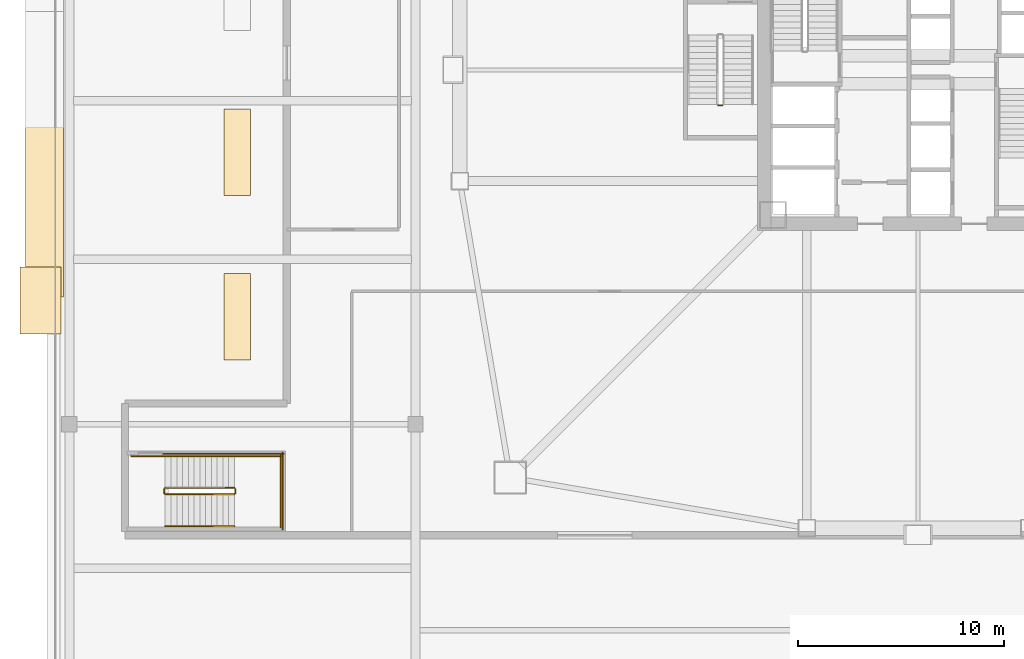
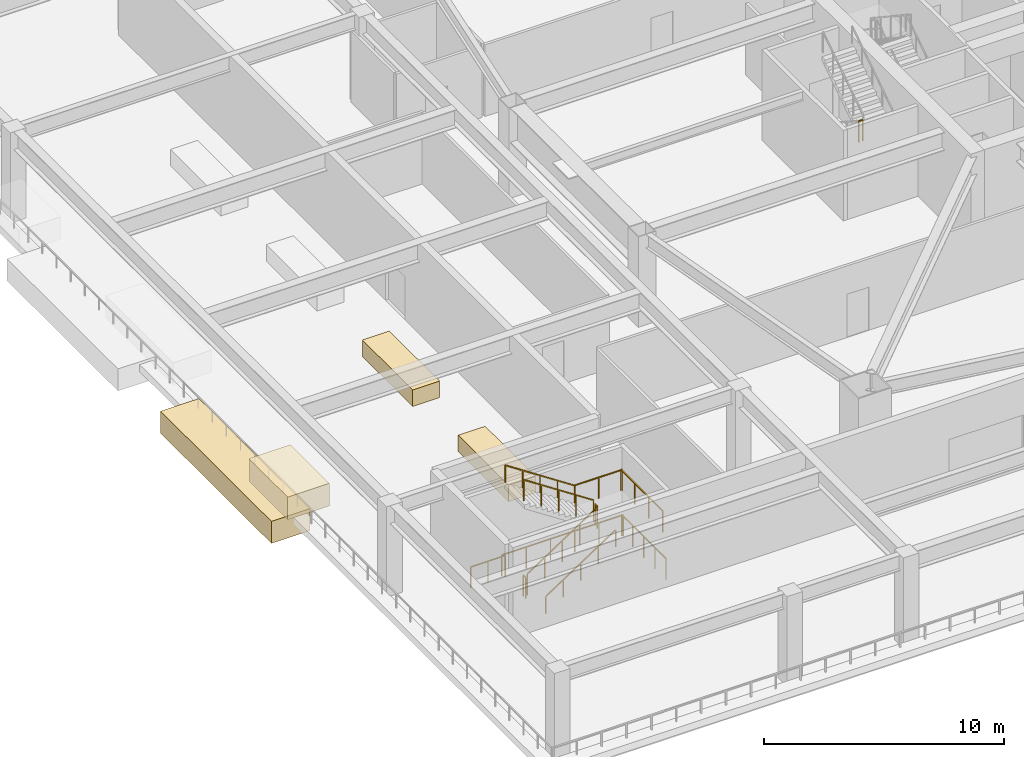
# One storey, part 13 of 21: 12 railings, 4 coverings.
"""IFC4 building model written with IfcOpenShell, lengths in metres."""

import ifcopenshell
import ifcopenshell.guid

model = None  # the IFC model being written
_history = None  # IfcOwnerHistory: only IFC2X3 demands one
_inside = {}  # id of a spatial element -> (the spatial element, [elements in it])
_under = {}  # id of a project, library or spatial element -> (it, [spatial elements below it])
_declared = {}  # id of a project -> (the project, [libraries it declares])
_typed = {}  # id of a type object -> (the type object, [elements of that type])
_made_of = {}  # id of a material, layer set ... -> (it, [elements and type objects made of it])


def new_model(schema):
    """Start an empty IFC model of exactly this schema.

    Asked for "IFC4X3", IfcOpenShell would pick the latest addendum, in which some entities
    have other attributes; the version numbers below select the first issue.
    IFC2X3 requires an IfcOwnerHistory on every rooted entity: one is made here for all.
    """
    global model, _history
    if schema == "IFC4X3":
        model = ifcopenshell.file(schema_version=(4, 3, 0, 0))
    else:
        model = ifcopenshell.file(schema=schema)
    _inside.clear()
    _under.clear()
    _declared.clear()
    _typed.clear()
    _made_of.clear()
    _history = None
    if model.schema == "IFC2X3":
        org = make("IfcOrganization", Name="unknown")
        user = make(
            "IfcPersonAndOrganization",
            ThePerson=make("IfcPerson", FamilyName="unknown"),
            TheOrganization=org,
        )
        app = make(
            "IfcApplication",
            ApplicationDeveloper=org,
            Version="unknown",
            ApplicationFullName="unknown",
            ApplicationIdentifier="unknown",
        )
        _history = make(
            "IfcOwnerHistory",
            OwningUser=user,
            OwningApplication=app,
            ChangeAction="ADDED",
            CreationDate=0,
        )
    return model


def make(cls, **values):
    """One entity of the class cls with the attributes given. An attribute that is None is left unset."""
    return model.create_entity(
        cls, **{name: value for name, value in values.items() if value is not None}
    )


def rooted(cls, **values):
    """An entity with a GlobalId (a new one), such as an element, a storey or a relation."""
    return make(cls, GlobalId=ifcopenshell.guid.new(), OwnerHistory=_history, **values)


def si_unit(unit_type, name, prefix=None):
    """IfcSIUnit, for example si_unit("LENGTHUNIT", "METRE", prefix="MILLI")."""
    return make("IfcSIUnit", UnitType=unit_type, Prefix=prefix, Name=name)


def assignment(units):
    """IfcUnitAssignment: the units of a project."""
    return None if units is None else make("IfcUnitAssignment", Units=units)


def point(xyz):
    """IfcCartesianPoint."""
    return None if xyz is None else make("IfcCartesianPoint", Coordinates=xyz)


def direction(xyz):
    """IfcDirection."""
    return None if xyz is None else make("IfcDirection", DirectionRatios=xyz)


def frame(location, z_axis=None, x_axis=None):
    """IfcAxis2Placement3D, a coordinate frame: its origin and axes. An axis left out is left unset."""
    return make(
        "IfcAxis2Placement3D",
        Location=point(location),
        Axis=direction(z_axis),
        RefDirection=direction(x_axis),
    )


def frame_2d(location, x_axis=None):
    """IfcAxis2Placement2D, a coordinate frame in the plane: its origin and x axis."""
    return make(
        "IfcAxis2Placement2D", Location=point(location), RefDirection=direction(x_axis)
    )


def origin():
    """The frame at (0, 0, 0) with its axes left unset."""
    return frame((0.0, 0.0, 0.0))


def origin_2d():
    """The frame at (0, 0) in the plane with its x axis left unset."""
    return frame_2d((0.0, 0.0))


def place(relative_to, where):
    """IfcLocalPlacement: puts the frame where relative to a parent placement (None: the world)."""
    return make(
        "IfcLocalPlacement", PlacementRelTo=relative_to, RelativePlacement=where
    )


def context(
    kind, dimensions, precision=None, world=None, true_north=None, identifier=None
):
    """IfcGeometricRepresentationContext, for example the 3D "Model" context."""
    return make(
        "IfcGeometricRepresentationContext",
        ContextIdentifier=identifier,
        ContextType=kind,
        CoordinateSpaceDimension=dimensions,
        Precision=precision,
        WorldCoordinateSystem=world,
        TrueNorth=true_north,
    )


def subcontext(parent, identifier, kind, view, scale=None):
    """IfcGeometricRepresentationSubContext, for example "Body" below "Model"."""
    return make(
        "IfcGeometricRepresentationSubContext",
        ContextIdentifier=identifier,
        ContextType=kind,
        ParentContext=parent,
        TargetScale=scale,
        TargetView=view,
    )


def project(units=None, contexts=None):
    """IfcProject with its units and contexts."""
    return rooted(
        "IfcProject",
        Name="project",
        RepresentationContexts=contexts,
        UnitsInContext=assignment(units),
    )


def spatial(cls, under=None, at=None, **own):
    """A site, building, storey or space (cls), placed at a placement, below another one or the project."""
    s = rooted(cls, ObjectPlacement=at, **own)
    if under is not None:
        _under.setdefault(under.id(), (under, []))[1].append(s)
    return s


def profile(cls, at=None, kind="AREA", **sizes):
    """A parametric profile (cls). Its sizes go by their IFC names, for example OverallWidth=200.0."""
    return make(cls, ProfileType=kind, Position=at, **sizes)


def rectangle(**sizes):
    """IfcRectangleProfileDef."""
    return profile("IfcRectangleProfileDef", **sizes)


def extrude(swept, where, along, depth):
    """IfcExtrudedAreaSolid: the profile swept, set in the frame where, extruded along a direction by depth."""
    return make(
        "IfcExtrudedAreaSolid",
        SweptArea=swept,
        Position=where,
        ExtrudedDirection=direction(along),
        Depth=depth,
    )


def shape(context_of_items, identifier, shape_type, items):
    """IfcShapeRepresentation: the items that make up one representation, for example the "Body"."""
    return make(
        "IfcShapeRepresentation",
        ContextOfItems=context_of_items,
        RepresentationIdentifier=identifier,
        RepresentationType=shape_type,
        Items=items,
    )


def material(Name=None, Category=None):
    """IfcMaterial."""
    return make("IfcMaterial", Name=Name, Category=Category)


def layer(
    of_material, thickness, ventilated=None, Name=None, Category=None, Priority=None
):
    """IfcMaterialLayer: one layer of a wall or slab, of a material (None: an air gap)."""
    return make(
        "IfcMaterialLayer",
        Material=of_material,
        LayerThickness=thickness,
        IsVentilated=ventilated,
        Name=Name,
        Category=Category,
        Priority=Priority,
    )


def layer_set(layers, Name=None):
    """IfcMaterialLayerSet."""
    return make("IfcMaterialLayerSet", MaterialLayers=layers, LayerSetName=Name)


def made_of(thing, what):
    """Note that an element or type object is made of a material, layer set ...; save() writes the relation."""
    if what is not None:
        _made_of.setdefault(what.id(), (what, []))[1].append(thing)
    return thing


def type_object(cls, material=None, **own):
    """A type object (cls), such as IfcWallType, which elements share."""
    return made_of(rooted(cls, **own), material)


def element(
    cls,
    number,
    at=None,
    inside=None,
    cuts=None,
    type_object=None,
    material=None,
    context=None,
    identifier="Body",
    shape_type=None,
    held_by="IfcProductDefinitionShape",
    body=None,
    shapes=None,
    **own,
):
    """One element of the class cls, such as IfcWall. Its Tag is "e" and its number.

    at: its placement. inside: the storey or other place that contains it. cuts: it is an
    opening in that element (IfcRelVoidsElement). A single representation is given by context,
    identifier, shape_type and body (its items); several are given by shapes. held_by: the class
    of the entity that holds the representations. save() writes the other relations.
    """
    e = rooted(cls, Tag="e%d" % number, ObjectPlacement=at, **own)
    if body is not None:
        shapes = [shape(context, identifier, shape_type, body)]
    if shapes is not None:
        e.Representation = make(held_by, Representations=shapes)
    if inside is not None:
        _inside.setdefault(inside.id(), (inside, []))[1].append(e)
    if cuts is not None:
        rooted(
            "IfcRelVoidsElement", RelatingBuildingElement=cuts, RelatedOpeningElement=e
        )
    if type_object is not None:
        _typed.setdefault(type_object.id(), (type_object, []))[1].append(e)
    return made_of(e, material)


def aggregate(whole, parts):
    """IfcRelAggregates: a whole, such as a stair, and the parts it consists of."""
    return rooted("IfcRelAggregates", RelatingObject=whole, RelatedObjects=parts)


def save(model, path):
    """Write the relations noted so far, then the file.

    IfcRelAggregates (storeys below a building ...), IfcRelContainedInSpatialStructure (elements
    in a storey), IfcRelDefinesByType, IfcRelAssociatesMaterial and IfcRelDeclares: one each for
    every whole, place, type object, material and project.
    """
    for whole, parts in _under.values():
        aggregate(whole, parts)
    for where, things in _inside.values():
        rooted(
            "IfcRelContainedInSpatialStructure",
            RelatedElements=things,
            RelatingStructure=where,
        )
    for kind, things in _typed.values():
        rooted("IfcRelDefinesByType", RelatedObjects=things, RelatingType=kind)
    for what, things in _made_of.values():
        rooted("IfcRelAssociatesMaterial", RelatedObjects=things, RelatingMaterial=what)
    for by, libraries in _declared.values():
        rooted("IfcRelDeclares", RelatingContext=by, RelatedDefinitions=libraries)
    model.write(path)


model = new_model("IFC4")

# Units and contexts
model_context = context("Model", 3, precision=1e-05, world=origin(), true_north=direction((0.0, 1.0)))
body_context = subcontext(model_context, "Body", "Model", "MODEL_VIEW")
ifc_project = project(units=[si_unit("LENGTHUNIT", "METRE"), si_unit("AREAUNIT", "SQUARE_METRE"), si_unit("VOLUMEUNIT", "CUBIC_METRE"), si_unit("PLANEANGLEUNIT", "RADIAN"), si_unit("MASSUNIT", "GRAM", prefix="KILO")], contexts=[model_context])

# Site, building, storey
site_placement = place(None, origin())
site = spatial("IfcSite", under=ifc_project, at=site_placement, CompositionType="ELEMENT")
building_placement = place(site_placement, origin())
building = spatial("IfcBuilding", under=site, at=building_placement, Name="Tashvorn Skyway Center", CompositionType="ELEMENT")
storey_placement = place(building_placement, frame((0.0, 0.0, 19.800048828125)))
storey = spatial("IfcBuildingStorey", under=building, at=storey_placement, Name="L04", CompositionType="ELEMENT", Elevation=19.800048828125)

# Coverings
ifc_material_1 = material(Name="Precast concrete C40/50", Category="concrete")
ifc_layer = layer(ifc_material_1, 0.35009765625)
ifc_layer_set = layer_set([ifc_layer], Name="Precast concrete C40/50")
covering_type = type_object("IfcCoveringType", Name="COV-STONE-TRIM", PredefinedType="CLADDING", material=ifc_layer_set)
for number, where, z_axis, x_axis, name in (
    (1, (8.949951171875, 20.0, 0.0), (0.0, 0.0, 1.0), (1.0, 0.0, 0.0), "L04 Colonnade Terrace Stone Planter 1"),
    (2, (8.949951171875, 28.0, 0.0), (0.0, 0.0, 1.0), (1.0, 0.0, 0.0), "L04 Colonnade Terrace Stone Planter 2"),
):
    element("IfcCovering", number, at=place(storey_placement, frame(where, z_axis=z_axis, x_axis=x_axis)), inside=storey, type_object=covering_type, Name=name, PredefinedType="CLADDING", context=body_context, shape_type="SweptSolid", body=[
        extrude(rectangle(XDim=1.300048828125, YDim=4.199951171875, at=origin_2d()), origin(), (0.0, 0.0, 1.0), 0.840087890625),
    ])
covering_1_placement = place(storey_placement, frame((-0.60009765625, 20.800048828125, 1.77490234375), z_axis=(0.0, 0.0, 1.0), x_axis=(1.0, 0.0, 0.0)))
element("IfcCovering", 3, at=covering_1_placement, inside=storey, type_object=covering_type, Name="Station Pylon Terracotta Capital WEST 1", PredefinedType="CLADDING", context=body_context, shape_type="SweptSolid", body=[
    extrude(rectangle(XDim=2.0, YDim=3.25, at=origin_2d()), origin(), (0.0, 0.0, 1.0), 1.14990234375),
])
covering_2_placement = place(storey_placement, frame((-0.419921875, 25.60009765625, -0.610107421875), z_axis=(0.0, 0.0, 1.0), x_axis=(1.0, 0.0, 0.0)))
element("IfcCovering", 4, at=covering_2_placement, inside=storey, type_object=covering_type, Name="Station Split-Pediment Terracotta Crest WEST L", PredefinedType="CLADDING", context=body_context, shape_type="SweptSolid", body=[
    extrude(rectangle(XDim=1.85009765625, YDim=9.25, at=origin_2d()), origin(), (0.0, 0.0, 1.0), 1.1201171875),
])

# Railings
ifc_material_2 = material(Name="Brushed stainless steel 316", Category="steel")
railing_type_1 = type_object("IfcRailingType", Name="RAIL-HAND-920", PredefinedType="HANDRAIL", material=ifc_material_2)
railing_1_placement = place(storey_placement, frame((5.449951171875, 9.85009765625, 0.1845703125)))
element("IfcRailing", 5, at=railing_1_placement, inside=storey, type_object=railing_type_1, Name="L04 ST-POD-1 stair handrail 1", PredefinedType="HANDRAIL", context=body_context, shape_type="SweptSolid", body=[
    extrude(rectangle(XDim=0.048095703125, YDim=0.048095703125, at=origin_2d()), frame((0.0, 0.0, 0.8759765625), z_axis=(0.834876476806, 0.0, 0.550437342915), x_axis=(0.0, 1.0, 0.0)), (0.0, 0.0, 1.0), 4.024658203125),
    extrude(rectangle(XDim=0.0419921875, YDim=0.0419921875, at=origin_2d()), origin(), (0.0, 0.0, 1.0), 0.851806640625),
    extrude(rectangle(XDim=0.0419921875, YDim=0.0419921875, at=origin_2d()), frame((0.840087890625, 0.0, 0.5537109375)), (0.0, 0.0, 1.0), 0.851806640625),
    extrude(rectangle(XDim=0.0419921875, YDim=0.0419921875, at=origin_2d()), frame((1.68017578125, 0.0, 1.107666015625)), (0.0, 0.0, 1.0), 0.851806640625),
    extrude(rectangle(XDim=0.0419921875, YDim=0.0419921875, at=origin_2d()), frame((2.52001953125, 0.0, 1.66162109375)), (0.0, 0.0, 1.0), 0.851806640625),
    extrude(rectangle(XDim=0.0419921875, YDim=0.0419921875, at=origin_2d()), frame((3.360107421875, 0.0, 2.21533203125)), (0.0, 0.0, 1.0), 0.851806640625),
])
railing_2_placement = place(storey_placement, frame((8.81005859375, 13.25, 2.58447265625)))
element("IfcRailing", 6, at=railing_2_placement, inside=storey, type_object=railing_type_1, Name="L04 ST-POD-1 stair handrail 2", PredefinedType="HANDRAIL", context=body_context, shape_type="SweptSolid", body=[
    extrude(rectangle(XDim=0.048095703125, YDim=0.048095703125, at=origin_2d()), frame((0.0, 0.0, 0.8759765625), z_axis=(-0.834848600103, 0.0, 0.550479622607), x_axis=(0.0, -1.0, 0.0)), (0.0, 0.0, 1.0), 4.02490234375),
    extrude(rectangle(XDim=0.0419921875, YDim=0.0419921875, at=origin_2d()), origin(), (0.0, 0.0, 1.0), 0.851806640625),
    extrude(rectangle(XDim=0.0419921875, YDim=0.0419921875, at=origin_2d()), frame((-0.840087890625, 0.0, 0.553955078125)), (0.0, 0.0, 1.0), 0.851806640625),
    extrude(rectangle(XDim=0.0419921875, YDim=0.0419921875, at=origin_2d()), frame((-1.68017578125, 0.0, 1.10791015625)), (0.0, 0.0, 1.0), 0.851806640625),
    extrude(rectangle(XDim=0.0419921875, YDim=0.0419921875, at=origin_2d()), frame((-2.52001953125, 0.0, 1.66162109375)), (0.0, 0.0, 1.0), 0.851806640625),
    extrude(rectangle(XDim=0.0419921875, YDim=0.0419921875, at=origin_2d()), frame((-3.360107421875, 0.0, 2.215576171875)), (0.0, 0.0, 1.0), 0.851806640625),
])
ifc_material_3 = material(Name="Painted galvanized steel S355", Category="steel")
railing_type_2 = type_object("IfcRailingType", Name="RAIL-STGUARD-1100", PredefinedType="GUARDRAIL", material=ifc_material_3)
railing_3_placement = place(storey_placement, frame((32.300048828125, 30.27001953125, 2.39990234375)))
element("IfcRailing", 7, at=railing_3_placement, inside=storey, type_object=railing_type_2, Name="L04 ST-T1-3 stair guard 2", PredefinedType="GUARDRAIL", context=body_context, shape_type="SweptSolid", body=[
    extrude(rectangle(XDim=0.048095703125, YDim=0.048095703125, at=origin_2d()), frame((0.0, 0.0, 1.076171875), z_axis=(1.0, 0.0, 0.0), x_axis=(0.0, 1.0, 0.0)), (0.0, 0.0, 1.0), 0.199951171875),
    extrude(rectangle(XDim=0.0419921875, YDim=0.0419921875, at=origin_2d()), origin(), (0.0, 0.0, 1.0), 1.052001953125),
    extrude(rectangle(XDim=0.0419921875, YDim=0.0419921875, at=origin_2d()), frame((0.199951171875, 0.0, 0.0)), (0.0, 0.0, 1.0), 1.052001953125),
])
railing_4_placement = place(storey_placement, frame((5.449951171875, 11.39990234375, 0.1845703125)))
element("IfcRailing", 8, at=railing_4_placement, inside=storey, type_object=railing_type_2, Name="L04 ST-POD-1 stair guard 1", PredefinedType="GUARDRAIL", context=body_context, shape_type="SweptSolid", body=[
    extrude(rectangle(XDim=0.048095703125, YDim=0.048095703125, at=origin_2d()), frame((0.0, 0.0, 1.076171875), z_axis=(0.834876476806, 0.0, 0.550437342915), x_axis=(0.0, 1.0, 0.0)), (0.0, 0.0, 1.0), 4.024658203125),
    extrude(rectangle(XDim=0.0419921875, YDim=0.0419921875, at=origin_2d()), origin(), (0.0, 0.0, 1.0), 1.052001953125),
    extrude(rectangle(XDim=0.0419921875, YDim=0.0419921875, at=origin_2d()), frame((0.840087890625, 0.0, 0.5537109375)), (0.0, 0.0, 1.0), 1.052001953125),
    extrude(rectangle(XDim=0.0419921875, YDim=0.0419921875, at=origin_2d()), frame((1.68017578125, 0.0, 1.107666015625)), (0.0, 0.0, 1.0), 1.052001953125),
    extrude(rectangle(XDim=0.0419921875, YDim=0.0419921875, at=origin_2d()), frame((2.52001953125, 0.0, 1.66162109375)), (0.0, 0.0, 1.0), 1.052001953125),
    extrude(rectangle(XDim=0.0419921875, YDim=0.0419921875, at=origin_2d()), frame((3.360107421875, 0.0, 2.21533203125)), (0.0, 0.0, 1.0), 1.052001953125),
])
railing_5_placement = place(storey_placement, frame((8.860107421875, 11.449951171875, 2.39990234375)))
element("IfcRailing", 9, at=railing_5_placement, inside=storey, type_object=railing_type_2, Name="L04 ST-POD-1 stair guard 2", PredefinedType="GUARDRAIL", context=body_context, shape_type="SweptSolid", body=[
    extrude(rectangle(XDim=0.048095703125, YDim=0.048095703125, at=origin_2d()), frame((0.0, 0.0, 1.076171875), z_axis=(0.0, 1.0, 0.0), x_axis=(-1.0, 0.0, 0.0)), (0.0, 0.0, 1.0), 0.199951171875),
    extrude(rectangle(XDim=0.0419921875, YDim=0.0419921875, at=origin_2d()), origin(), (0.0, 0.0, 1.0), 1.052001953125),
    extrude(rectangle(XDim=0.0419921875, YDim=0.0419921875, at=origin_2d()), frame((0.0, 0.199951171875, 0.0)), (0.0, 0.0, 1.0), 1.052001953125),
])
railing_6_placement = place(storey_placement, frame((8.81005859375, 13.25, 2.39990234375)))
element("IfcRailing", 10, at=railing_6_placement, inside=storey, type_object=railing_type_2, Name="L04 ST-POD-1 stair guard 3", PredefinedType="GUARDRAIL", context=body_context, shape_type="SweptSolid", body=[
    extrude(rectangle(XDim=0.048095703125, YDim=0.048095703125, at=origin_2d()), frame((0.0, 0.0, 1.076171875), z_axis=(1.0, 0.0, 0.0), x_axis=(0.0, 1.0, 0.0)), (0.0, 0.0, 1.0), 2.2900390625),
    extrude(rectangle(XDim=0.0419921875, YDim=0.0419921875, at=origin_2d()), origin(), (0.0, 0.0, 1.0), 1.052001953125),
    extrude(rectangle(XDim=0.0419921875, YDim=0.0419921875, at=origin_2d()), frame((1.14501953125, 0.0, 0.0)), (0.0, 0.0, 1.0), 1.052001953125),
    extrude(rectangle(XDim=0.0419921875, YDim=0.0419921875, at=origin_2d()), frame((2.2900390625, 0.0, 0.0)), (0.0, 0.0, 1.0), 1.052001953125),
])
railing_7_placement = place(storey_placement, frame((11.050048828125, 9.800048828125, 2.39990234375)))
element("IfcRailing", 11, at=railing_7_placement, inside=storey, type_object=railing_type_2, Name="L04 ST-POD-1 stair guard 4", PredefinedType="GUARDRAIL", context=body_context, shape_type="SweptSolid", body=[
    extrude(rectangle(XDim=0.048095703125, YDim=0.048095703125, at=origin_2d()), frame((0.0, 0.0, 1.076171875), z_axis=(0.0, 1.0, 0.0), x_axis=(-1.0, 0.0, 0.0)), (0.0, 0.0, 1.0), 3.5),
    extrude(rectangle(XDim=0.0419921875, YDim=0.0419921875, at=origin_2d()), origin(), (0.0, 0.0, 1.0), 1.052001953125),
    extrude(rectangle(XDim=0.0419921875, YDim=0.0419921875, at=origin_2d()), frame((0.0, 1.166748046875, 0.0)), (0.0, 0.0, 1.0), 1.052001953125),
    extrude(rectangle(XDim=0.0419921875, YDim=0.0419921875, at=origin_2d()), frame((0.0, 2.333251953125, 0.0)), (0.0, 0.0, 1.0), 1.052001953125),
    extrude(rectangle(XDim=0.0419921875, YDim=0.0419921875, at=origin_2d()), frame((0.0, 3.5, 0.0)), (0.0, 0.0, 1.0), 1.052001953125),
])
railing_8_placement = place(storey_placement, frame((8.81005859375, 11.699951171875, 2.58447265625)))
element("IfcRailing", 12, at=railing_8_placement, inside=storey, type_object=railing_type_2, Name="L04 ST-POD-1 stair guard 5", PredefinedType="GUARDRAIL", context=body_context, shape_type="SweptSolid", body=[
    extrude(rectangle(XDim=0.048095703125, YDim=0.048095703125, at=origin_2d()), frame((0.0, 0.0, 1.076171875), z_axis=(-0.834848600103, 0.0, 0.550479622607), x_axis=(0.0, -1.0, 0.0)), (0.0, 0.0, 1.0), 4.02490234375),
    extrude(rectangle(XDim=0.0419921875, YDim=0.0419921875, at=origin_2d()), origin(), (0.0, 0.0, 1.0), 1.052001953125),
    extrude(rectangle(XDim=0.0419921875, YDim=0.0419921875, at=origin_2d()), frame((-0.840087890625, 0.0, 0.553955078125)), (0.0, 0.0, 1.0), 1.052001953125),
    extrude(rectangle(XDim=0.0419921875, YDim=0.0419921875, at=origin_2d()), frame((-1.68017578125, 0.0, 1.10791015625)), (0.0, 0.0, 1.0), 1.052001953125),
    extrude(rectangle(XDim=0.0419921875, YDim=0.0419921875, at=origin_2d()), frame((-2.52001953125, 0.0, 1.66162109375)), (0.0, 0.0, 1.0), 1.052001953125),
    extrude(rectangle(XDim=0.0419921875, YDim=0.0419921875, at=origin_2d()), frame((-3.360107421875, 0.0, 2.215576171875)), (0.0, 0.0, 1.0), 1.052001953125),
])
railing_9_placement = place(storey_placement, frame((5.39990234375, 11.449951171875, 0.0)))
element("IfcRailing", 13, at=railing_9_placement, inside=storey, type_object=railing_type_2, Name="L04 ST-POD-1 stair guard 6", PredefinedType="GUARDRAIL", context=body_context, shape_type="SweptSolid", body=[
    extrude(rectangle(XDim=0.048095703125, YDim=0.048095703125, at=origin_2d()), frame((0.0, 0.0, 1.076171875), z_axis=(0.0, 1.0, 0.0), x_axis=(-1.0, 0.0, 0.0)), (0.0, 0.0, 1.0), 0.199951171875),
    extrude(rectangle(XDim=0.0419921875, YDim=0.0419921875, at=origin_2d()), origin(), (0.0, 0.0, 1.0), 1.052001953125),
    extrude(rectangle(XDim=0.0419921875, YDim=0.0419921875, at=origin_2d()), frame((0.0, 0.199951171875, 0.0)), (0.0, 0.0, 1.0), 1.052001953125),
])
railing_10_placement = place(storey_placement, frame((3.800048828125, 13.25, 0.0)))
element("IfcRailing", 14, at=railing_10_placement, inside=storey, type_object=railing_type_2, Name="L04 ST-POD-1 stair guard 7", PredefinedType="GUARDRAIL", context=body_context, shape_type="SweptSolid", body=[
    extrude(rectangle(XDim=0.048095703125, YDim=0.048095703125, at=origin_2d()), frame((0.0, 0.0, 1.076171875), z_axis=(1.0, 0.0, 0.0), x_axis=(0.0, 1.0, 0.0)), (0.0, 0.0, 1.0), 1.64990234375),
    extrude(rectangle(XDim=0.0419921875, YDim=0.0419921875, at=origin_2d()), origin(), (0.0, 0.0, 1.0), 1.052001953125),
    extrude(rectangle(XDim=0.0419921875, YDim=0.0419921875, at=origin_2d()), frame((0.824951171875, 0.0, 0.0)), (0.0, 0.0, 1.0), 1.052001953125),
    extrude(rectangle(XDim=0.0419921875, YDim=0.0419921875, at=origin_2d()), frame((1.64990234375, 0.0, 0.0)), (0.0, 0.0, 1.0), 1.052001953125),
])
railing_11_placement = place(storey_placement, frame((5.35009765625, 13.35009765625, 0.0)))
element("IfcRailing", 15, at=railing_11_placement, inside=storey, type_object=railing_type_2, Name="L04 ST-POD-1 stair guard 8", PredefinedType="GUARDRAIL", context=body_context, shape_type="SweptSolid", body=[
    extrude(rectangle(XDim=0.048095703125, YDim=0.048095703125, at=origin_2d()), frame((0.0, 0.0, 1.076171875), z_axis=(1.0, 0.0, 0.0), x_axis=(0.0, 1.0, 0.0)), (0.0, 0.0, 1.0), 5.849853515625),
    extrude(rectangle(XDim=0.0419921875, YDim=0.0419921875, at=origin_2d()), origin(), (0.0, 0.0, 1.0), 1.052001953125),
    extrude(rectangle(XDim=0.0419921875, YDim=0.0419921875, at=origin_2d()), frame((1.169921875, 0.0, 0.0)), (0.0, 0.0, 1.0), 1.052001953125),
    extrude(rectangle(XDim=0.0419921875, YDim=0.0419921875, at=origin_2d()), frame((2.33984375, 0.0, 0.0)), (0.0, 0.0, 1.0), 1.052001953125),
    extrude(rectangle(XDim=0.0419921875, YDim=0.0419921875, at=origin_2d()), frame((3.510009765625, 0.0, 0.0)), (0.0, 0.0, 1.0), 1.052001953125),
    extrude(rectangle(XDim=0.0419921875, YDim=0.0419921875, at=origin_2d()), frame((4.679931640625, 0.0, 0.0)), (0.0, 0.0, 1.0), 1.052001953125),
    extrude(rectangle(XDim=0.0419921875, YDim=0.0419921875, at=origin_2d()), frame((5.849853515625, 0.0, 0.0)), (0.0, 0.0, 1.0), 1.052001953125),
])
railing_12_placement = place(storey_placement, frame((11.14990234375, 9.699951171875, 0.0)))
element("IfcRailing", 16, at=railing_12_placement, inside=storey, type_object=railing_type_2, Name="L04 ST-POD-1 stair guard 9", PredefinedType="GUARDRAIL", context=body_context, shape_type="SweptSolid", body=[
    extrude(rectangle(XDim=0.048095703125, YDim=0.048095703125, at=origin_2d()), frame((0.0, 0.0, 1.076171875), z_axis=(0.0, 1.0, 0.0), x_axis=(-1.0, 0.0, 0.0)), (0.0, 0.0, 1.0), 3.699951171875),
    extrude(rectangle(XDim=0.0419921875, YDim=0.0419921875, at=origin_2d()), origin(), (0.0, 0.0, 1.0), 1.052001953125),
    extrude(rectangle(XDim=0.0419921875, YDim=0.0419921875, at=origin_2d()), frame((0.0, 0.925048828125, 0.0)), (0.0, 0.0, 1.0), 1.052001953125),
    extrude(rectangle(XDim=0.0419921875, YDim=0.0419921875, at=origin_2d()), frame((0.0, 1.85009765625, 0.0)), (0.0, 0.0, 1.0), 1.052001953125),
    extrude(rectangle(XDim=0.0419921875, YDim=0.0419921875, at=origin_2d()), frame((0.0, 2.77490234375, 0.0)), (0.0, 0.0, 1.0), 1.052001953125),
    extrude(rectangle(XDim=0.0419921875, YDim=0.0419921875, at=origin_2d()), frame((0.0, 3.699951171875, 0.0)), (0.0, 0.0, 1.0), 1.052001953125),
])

save(model, "model.ifc")
